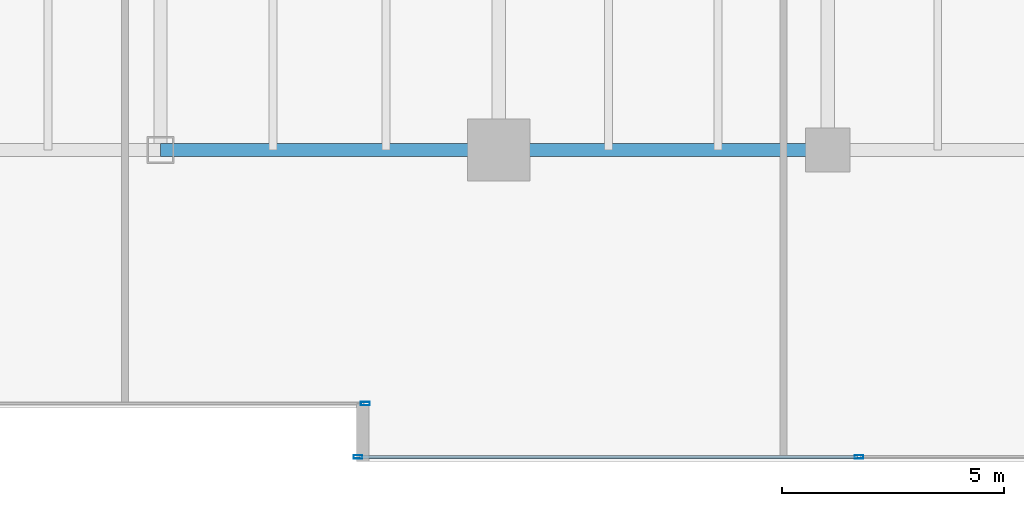
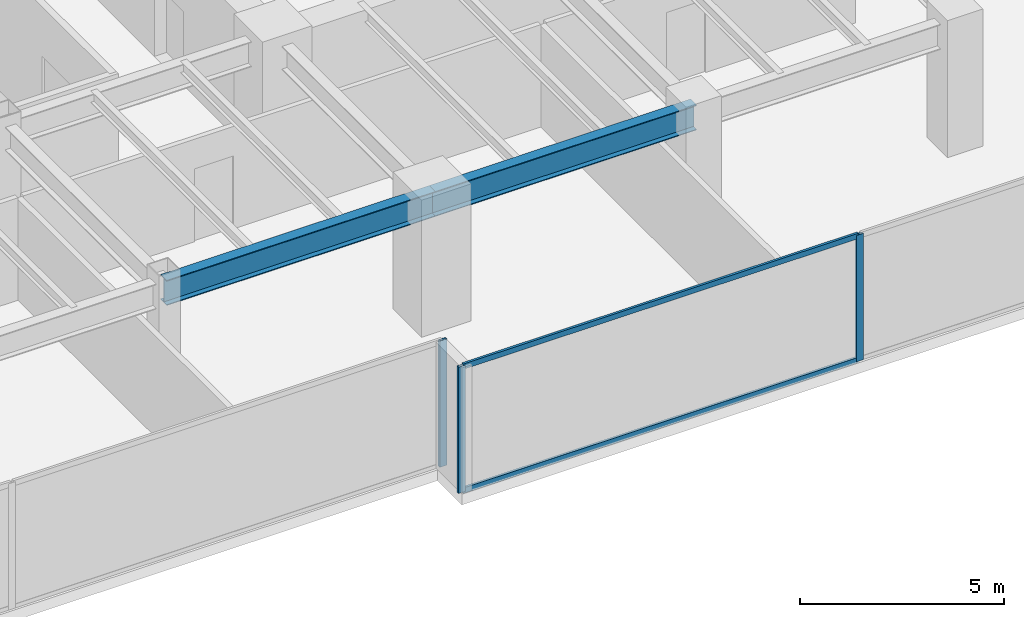
# One storey, part 10 of 35: 5 members, 2 beams, 2 elements without a shape of their own.
"""IFC4 building model written with IfcOpenShell, lengths in metres."""

import ifcopenshell
import ifcopenshell.guid

model = None  # the IFC model being written
_history = None  # IfcOwnerHistory: only IFC2X3 demands one
_inside = {}  # id of a spatial element -> (the spatial element, [elements in it])
_under = {}  # id of a project, library or spatial element -> (it, [spatial elements below it])
_declared = {}  # id of a project -> (the project, [libraries it declares])
_typed = {}  # id of a type object -> (the type object, [elements of that type])
_made_of = {}  # id of a material, layer set ... -> (it, [elements and type objects made of it])


def new_model(schema):
    """Start an empty IFC model of exactly this schema.

    Asked for "IFC4X3", IfcOpenShell would pick the latest addendum, in which some entities
    have other attributes; the version numbers below select the first issue.
    IFC2X3 requires an IfcOwnerHistory on every rooted entity: one is made here for all.
    """
    global model, _history
    if schema == "IFC4X3":
        model = ifcopenshell.file(schema_version=(4, 3, 0, 0))
    else:
        model = ifcopenshell.file(schema=schema)
    _inside.clear()
    _under.clear()
    _declared.clear()
    _typed.clear()
    _made_of.clear()
    _history = None
    if model.schema == "IFC2X3":
        org = make("IfcOrganization", Name="unknown")
        user = make(
            "IfcPersonAndOrganization",
            ThePerson=make("IfcPerson", FamilyName="unknown"),
            TheOrganization=org,
        )
        app = make(
            "IfcApplication",
            ApplicationDeveloper=org,
            Version="unknown",
            ApplicationFullName="unknown",
            ApplicationIdentifier="unknown",
        )
        _history = make(
            "IfcOwnerHistory",
            OwningUser=user,
            OwningApplication=app,
            ChangeAction="ADDED",
            CreationDate=0,
        )
    return model


def make(cls, **values):
    """One entity of the class cls with the attributes given. An attribute that is None is left unset."""
    return model.create_entity(
        cls, **{name: value for name, value in values.items() if value is not None}
    )


def rooted(cls, **values):
    """An entity with a GlobalId (a new one), such as an element, a storey or a relation."""
    return make(cls, GlobalId=ifcopenshell.guid.new(), OwnerHistory=_history, **values)


def si_unit(unit_type, name, prefix=None):
    """IfcSIUnit, for example si_unit("LENGTHUNIT", "METRE", prefix="MILLI")."""
    return make("IfcSIUnit", UnitType=unit_type, Prefix=prefix, Name=name)


def assignment(units):
    """IfcUnitAssignment: the units of a project."""
    return None if units is None else make("IfcUnitAssignment", Units=units)


def point(xyz):
    """IfcCartesianPoint."""
    return None if xyz is None else make("IfcCartesianPoint", Coordinates=xyz)


def direction(xyz):
    """IfcDirection."""
    return None if xyz is None else make("IfcDirection", DirectionRatios=xyz)


def frame(location, z_axis=None, x_axis=None):
    """IfcAxis2Placement3D, a coordinate frame: its origin and axes. An axis left out is left unset."""
    return make(
        "IfcAxis2Placement3D",
        Location=point(location),
        Axis=direction(z_axis),
        RefDirection=direction(x_axis),
    )


def frame_2d(location, x_axis=None):
    """IfcAxis2Placement2D, a coordinate frame in the plane: its origin and x axis."""
    return make(
        "IfcAxis2Placement2D", Location=point(location), RefDirection=direction(x_axis)
    )


def origin():
    """The frame at (0, 0, 0) with its axes left unset."""
    return frame((0.0, 0.0, 0.0))


def origin_2d():
    """The frame at (0, 0) in the plane with its x axis left unset."""
    return frame_2d((0.0, 0.0))


def place(relative_to, where):
    """IfcLocalPlacement: puts the frame where relative to a parent placement (None: the world)."""
    return make(
        "IfcLocalPlacement", PlacementRelTo=relative_to, RelativePlacement=where
    )


def context(
    kind, dimensions, precision=None, world=None, true_north=None, identifier=None
):
    """IfcGeometricRepresentationContext, for example the 3D "Model" context."""
    return make(
        "IfcGeometricRepresentationContext",
        ContextIdentifier=identifier,
        ContextType=kind,
        CoordinateSpaceDimension=dimensions,
        Precision=precision,
        WorldCoordinateSystem=world,
        TrueNorth=true_north,
    )


def subcontext(parent, identifier, kind, view, scale=None):
    """IfcGeometricRepresentationSubContext, for example "Body" below "Model"."""
    return make(
        "IfcGeometricRepresentationSubContext",
        ContextIdentifier=identifier,
        ContextType=kind,
        ParentContext=parent,
        TargetScale=scale,
        TargetView=view,
    )


def project(units=None, contexts=None):
    """IfcProject with its units and contexts."""
    return rooted(
        "IfcProject",
        Name="project",
        RepresentationContexts=contexts,
        UnitsInContext=assignment(units),
    )


def spatial(cls, under=None, at=None, **own):
    """A site, building, storey or space (cls), placed at a placement, below another one or the project."""
    s = rooted(cls, ObjectPlacement=at, **own)
    if under is not None:
        _under.setdefault(under.id(), (under, []))[1].append(s)
    return s


def profile(cls, at=None, kind="AREA", **sizes):
    """A parametric profile (cls). Its sizes go by their IFC names, for example OverallWidth=200.0."""
    return make(cls, ProfileType=kind, Position=at, **sizes)


def hollow_rectangle(**sizes):
    """IfcRectangleHollowProfileDef."""
    return profile("IfcRectangleHollowProfileDef", **sizes)


def i_section(**sizes):
    """IfcIShapeProfileDef."""
    return profile("IfcIShapeProfileDef", **sizes)


def extrude(swept, where, along, depth):
    """IfcExtrudedAreaSolid: the profile swept, set in the frame where, extruded along a direction by depth."""
    return make(
        "IfcExtrudedAreaSolid",
        SweptArea=swept,
        Position=where,
        ExtrudedDirection=direction(along),
        Depth=depth,
    )


def shape(context_of_items, identifier, shape_type, items):
    """IfcShapeRepresentation: the items that make up one representation, for example the "Body"."""
    return make(
        "IfcShapeRepresentation",
        ContextOfItems=context_of_items,
        RepresentationIdentifier=identifier,
        RepresentationType=shape_type,
        Items=items,
    )


def source(mapping_origin, context_of_items, identifier, shape_type, items):
    """IfcRepresentationMap: a shape defined once, which mapped items show again and again."""
    return make(
        "IfcRepresentationMap",
        MappingOrigin=mapping_origin,
        MappedRepresentation=shape(context_of_items, identifier, shape_type, items),
    )


def transform(
    local_origin,
    x_axis=None,
    y_axis=None,
    z_axis=None,
    scale=None,
    scale2=None,
    scale3=None,
    uniform=True,
):
    """IfcCartesianTransformationOperator3D, or its non-uniform kind. x_axis, y_axis, z_axis: its Axis1, 2, 3."""
    if uniform:
        return make(
            "IfcCartesianTransformationOperator3D",
            Axis1=direction(x_axis),
            Axis2=direction(y_axis),
            LocalOrigin=point(local_origin),
            Scale=scale,
            Axis3=direction(z_axis),
        )
    return make(
        "IfcCartesianTransformationOperator3DnonUniform",
        Axis1=direction(x_axis),
        Axis2=direction(y_axis),
        LocalOrigin=point(local_origin),
        Scale=scale,
        Axis3=direction(z_axis),
        Scale2=scale2,
        Scale3=scale3,
    )


def mapped(mapping_source, mapping_target):
    """IfcMappedItem: shows the shape of a source again, moved by a transform."""
    return make(
        "IfcMappedItem", MappingSource=mapping_source, MappingTarget=mapping_target
    )


def material(Name=None, Category=None):
    """IfcMaterial."""
    return make("IfcMaterial", Name=Name, Category=Category)


def layer(
    of_material, thickness, ventilated=None, Name=None, Category=None, Priority=None
):
    """IfcMaterialLayer: one layer of a wall or slab, of a material (None: an air gap)."""
    return make(
        "IfcMaterialLayer",
        Material=of_material,
        LayerThickness=thickness,
        IsVentilated=ventilated,
        Name=Name,
        Category=Category,
        Priority=Priority,
    )


def layer_set(layers, Name=None):
    """IfcMaterialLayerSet."""
    return make("IfcMaterialLayerSet", MaterialLayers=layers, LayerSetName=Name)


def material_profile(
    of_material, cross_section, Name=None, Category=None, Priority=None
):
    """IfcMaterialProfile: a cross section and its material."""
    return make(
        "IfcMaterialProfile",
        Name=Name,
        Material=of_material,
        Profile=cross_section,
        Priority=Priority,
        Category=Category,
    )


def profile_set(profiles, Name=None, composite=None):
    """IfcMaterialProfileSet."""
    return make(
        "IfcMaterialProfileSet",
        Name=Name,
        MaterialProfiles=profiles,
        CompositeProfile=composite,
    )


def made_of(thing, what):
    """Note that an element or type object is made of a material, layer set ...; save() writes the relation."""
    if what is not None:
        _made_of.setdefault(what.id(), (what, []))[1].append(thing)
    return thing


def type_object(cls, material=None, **own):
    """A type object (cls), such as IfcWallType, which elements share."""
    return made_of(rooted(cls, **own), material)


def type_shapes(of_type, sources):
    """Give a type object the sources (RepresentationMaps) that its elements show as mapped items."""
    of_type.RepresentationMaps = sources


def element(
    cls,
    number,
    at=None,
    inside=None,
    cuts=None,
    type_object=None,
    material=None,
    context=None,
    identifier="Body",
    shape_type=None,
    held_by="IfcProductDefinitionShape",
    body=None,
    shapes=None,
    **own,
):
    """One element of the class cls, such as IfcWall. Its Tag is "e" and its number.

    at: its placement. inside: the storey or other place that contains it. cuts: it is an
    opening in that element (IfcRelVoidsElement). A single representation is given by context,
    identifier, shape_type and body (its items); several are given by shapes. held_by: the class
    of the entity that holds the representations. save() writes the other relations.
    """
    e = rooted(cls, Tag="e%d" % number, ObjectPlacement=at, **own)
    if body is not None:
        shapes = [shape(context, identifier, shape_type, body)]
    if shapes is not None:
        e.Representation = make(held_by, Representations=shapes)
    if inside is not None:
        _inside.setdefault(inside.id(), (inside, []))[1].append(e)
    if cuts is not None:
        rooted(
            "IfcRelVoidsElement", RelatingBuildingElement=cuts, RelatedOpeningElement=e
        )
    if type_object is not None:
        _typed.setdefault(type_object.id(), (type_object, []))[1].append(e)
    return made_of(e, material)


def aggregate(whole, parts):
    """IfcRelAggregates: a whole, such as a stair, and the parts it consists of."""
    return rooted("IfcRelAggregates", RelatingObject=whole, RelatedObjects=parts)


def save(model, path):
    """Write the relations noted so far, then the file.

    IfcRelAggregates (storeys below a building ...), IfcRelContainedInSpatialStructure (elements
    in a storey), IfcRelDefinesByType, IfcRelAssociatesMaterial and IfcRelDeclares: one each for
    every whole, place, type object, material and project.
    """
    for whole, parts in _under.values():
        aggregate(whole, parts)
    for where, things in _inside.values():
        rooted(
            "IfcRelContainedInSpatialStructure",
            RelatedElements=things,
            RelatingStructure=where,
        )
    for kind, things in _typed.values():
        rooted("IfcRelDefinesByType", RelatedObjects=things, RelatingType=kind)
    for what, things in _made_of.values():
        rooted("IfcRelAssociatesMaterial", RelatedObjects=things, RelatingMaterial=what)
    for by, libraries in _declared.values():
        rooted("IfcRelDeclares", RelatingContext=by, RelatedDefinitions=libraries)
    model.write(path)


model = new_model("IFC4")

# Units and contexts
model_context = context("Model", 3, precision=1e-05, world=origin(), true_north=direction((0.0, 1.0)))
body_context = subcontext(model_context, "Body", "Model", "MODEL_VIEW")
ifc_project = project(units=[si_unit("LENGTHUNIT", "METRE"), si_unit("AREAUNIT", "SQUARE_METRE"), si_unit("VOLUMEUNIT", "CUBIC_METRE"), si_unit("PLANEANGLEUNIT", "RADIAN"), si_unit("MASSUNIT", "GRAM", prefix="KILO")], contexts=[model_context])

# Site, building, storey
site_placement = place(None, origin())
site = spatial("IfcSite", under=ifc_project, at=site_placement, CompositionType="ELEMENT")
building_placement = place(site_placement, origin())
building = spatial("IfcBuilding", under=site, at=building_placement, Name="Haelvirn Gate Laboratories", CompositionType="ELEMENT")
storey_placement = place(building_placement, frame((0.0, 0.0, 58.0)))
storey = spatial("IfcBuildingStorey", under=building, at=storey_placement, Name="L14", CompositionType="ELEMENT", Elevation=58.0)

# Beams
ifc_material_1 = material(Name="Steel SM355", Category="steel")
ifc_material_profile_1 = material_profile(ifc_material_1, i_section(OverallWidth=0.300048828125, OverallDepth=0.75, WebThickness=0.013916015625, FlangeThickness=0.02392578125, at=origin_2d()), Name="H-750x300x14x24")
ifc_profile_set_1 = profile_set([ifc_material_profile_1], Name="Steel SM355")
beam_type = type_object("IfcBeamType", Name="BM-G-750", PredefinedType="BEAM", material=ifc_profile_set_1)
shared_shape_1 = source(origin(), body_context, "Body", "SweptSolid", [
    extrude(i_section(OverallWidth=0.300048828125, OverallDepth=0.75, WebThickness=0.013916015625, FlangeThickness=0.02392578125, at=origin_2d()), origin(), (0.0, 0.0, 1.0), 7.39990234375),
])
beam_1_placement = place(storey_placement, frame((52.60009765625, 7.0, 3.405029296875), z_axis=(1.0, 0.0, 0.0), x_axis=(0.0, 1.0, 0.0)))
element("IfcBeam", 1, at=beam_1_placement, inside=storey, type_object=beam_type, Name="L14 Primary Girder Y7.0 (52.6-60.0)", PredefinedType="BEAM", context=body_context, shape_type="MappedRepresentation", body=[
    mapped(shared_shape_1, transform((0.0, 0.0, 0.0), scale=1.0)),
])
shared_shape_2 = source(origin(), body_context, "Body", "SweptSolid", [
    extrude(i_section(OverallWidth=0.300048828125, OverallDepth=0.75, WebThickness=0.013916015625, FlangeThickness=0.02392578125, at=origin_2d()), origin(), (0.0, 0.0, 1.0), 7.60009765625),
])
type_shapes(beam_type, [shared_shape_1, shared_shape_2])
beam_2_placement = place(storey_placement, frame((45.0, 7.0, 3.405029296875), z_axis=(1.0, 0.0, 0.0), x_axis=(0.0, 1.0, 0.0)))
element("IfcBeam", 2, at=beam_2_placement, inside=storey, type_object=beam_type, Name="L14 Primary Girder Y7.0 (45.0-52.6)", PredefinedType="BEAM", context=body_context, shape_type="MappedRepresentation", body=[
    mapped(shared_shape_2, transform((0.0, 0.0, 0.0), scale=1.0)),
])

# Curtain wall, member
ifc_material_2 = material(Name="Anodised bronze unitised aluminium & triple low-E glass", Category="aluminium")
ifc_layer = layer(ifc_material_2, 0.18408203125, Name="CW-SYS-2")
ifc_layer_set = layer_set([ifc_layer], Name="Anodised bronze unitised aluminium & triple low-E glass")
curtain_wall_type = type_object("IfcCurtainWallType", Name="CW-SYS-2", PredefinedType="NOTDEFINED", material=ifc_layer_set)
curtain_wall_1_placement = place(storey_placement, origin())
curtain_wall_1 = element("IfcCurtainWall", 3, at=curtain_wall_1_placement, inside=storey, type_object=curtain_wall_type, Name="L14 Unitised Curtain Wall CW-L14-P0-E02-1", PredefinedType="NOTDEFINED")
ifc_material_3 = material(Name="Extruded aluminium 6063-T6 (anodised bronze)", Category="aluminium")
ifc_material_profile_2 = material_profile(ifc_material_3, hollow_rectangle(XDim=0.074951171875, YDim=0.199951171875, WallThickness=0.0048828125, at=origin_2d()), Name="CWM-200x75x5")
ifc_profile_set_2 = profile_set([ifc_material_profile_2], Name="Extruded aluminium 6063-T6 (anodised bronze)")
member_type_1 = type_object("IfcMemberType", Name="CWM-T200", PredefinedType="MULLION", material=ifc_profile_set_2)
shared_shape_3 = source(origin(), body_context, "Body", "SweptSolid", [
    extrude(hollow_rectangle(XDim=0.074951171875, YDim=0.199951171875, WallThickness=0.0048828125, at=origin_2d()), origin(), (0.0, 0.0, 1.0), 3.780029296875),
])
type_shapes(member_type_1, [shared_shape_3])
member_1_placement = place(storey_placement, frame((49.6025390625, 1.300048828125, 0.0), z_axis=(0.0, 0.0, 1.0), x_axis=(0.0, 1.0, 0.0)))
member_1 = element("IfcMember", 4, at=member_1_placement, type_object=member_type_1, Name="CW2 mullion 3", PredefinedType="MULLION", context=body_context, shape_type="MappedRepresentation", body=[
    mapped(shared_shape_3, transform((0.0, 0.0, 0.0), scale=1.0)),
])
aggregate(curtain_wall_1, [member_1])

# Curtain wall, members
curtain_wall_2_placement = place(storey_placement, origin())
curtain_wall_2 = element("IfcCurtainWall", 5, at=curtain_wall_2_placement, inside=storey, type_object=curtain_wall_type, Name="L14 Unitised Curtain Wall CW-L14-P0-E04-1", PredefinedType="NOTDEFINED")
member_2_placement = place(storey_placement, frame((49.4375, 0.10009765625, 0.0), z_axis=(0.0, 0.0, 1.0), x_axis=(0.0, 1.0, 0.0)))
member_2 = element("IfcMember", 6, at=member_2_placement, type_object=member_type_1, Name="CW2 mullion 1", PredefinedType="MULLION", context=body_context, shape_type="MappedRepresentation", body=[
    mapped(shared_shape_3, transform((0.0, 0.0, 0.0), scale=1.0)),
])
member_3_placement = place(storey_placement, frame((60.699951171875, 0.10009765625, 0.0), z_axis=(0.0, 0.0, 1.0), x_axis=(0.0, 1.0, 0.0)))
member_3 = element("IfcMember", 7, at=member_3_placement, type_object=member_type_1, Name="CW2 mullion 2", PredefinedType="MULLION", context=body_context, shape_type="MappedRepresentation", body=[
    mapped(shared_shape_3, transform((0.0, 0.0, 0.0), scale=1.0)),
])
ifc_material_profile_3 = material_profile(ifc_material_3, hollow_rectangle(XDim=0.070068359375, YDim=0.159912109375, WallThickness=0.0048828125, at=origin_2d()), Name="CWT-160x70x5")
ifc_profile_set_3 = profile_set([ifc_material_profile_3], Name="Extruded aluminium 6063-T6 (anodised bronze)")
member_type_2 = type_object("IfcMemberType", Name="CWT-T160", PredefinedType="USERDEFINED", material=ifc_profile_set_3)
shared_shape_4 = source(origin(), body_context, "Body", "SweptSolid", [
    extrude(hollow_rectangle(XDim=0.070068359375, YDim=0.159912109375, WallThickness=0.0048828125, at=origin_2d()), origin(), (0.0, 0.0, 1.0), 11.1875),
])
type_shapes(member_type_2, [shared_shape_4])
member_4_placement = place(storey_placement, frame((49.47509765625, 0.10009765625, 0.034912109375), z_axis=(1.0, 0.0, 0.0), x_axis=(0.0, 1.0, 0.0)))
member_4 = element("IfcMember", 8, at=member_4_placement, type_object=member_type_2, Name="CW2 transom 1.1", ObjectType="TRANSOM", PredefinedType="USERDEFINED", context=body_context, shape_type="MappedRepresentation", body=[
    mapped(shared_shape_4, transform((0.0, 0.0, 0.0), scale=1.0)),
])
member_5_placement = place(storey_placement, frame((49.47509765625, 0.10009765625, 3.7451171875), z_axis=(1.0, 0.0, 0.0), x_axis=(0.0, 1.0, 0.0)))
member_5 = element("IfcMember", 9, at=member_5_placement, type_object=member_type_2, Name="CW2 transom 1.2", ObjectType="TRANSOM", PredefinedType="USERDEFINED", context=body_context, shape_type="MappedRepresentation", body=[
    mapped(shared_shape_4, transform((0.0, 0.0, 0.0), scale=1.0)),
])
aggregate(curtain_wall_2, [member_2, member_3, member_4, member_5])

save(model, "model.ifc")
